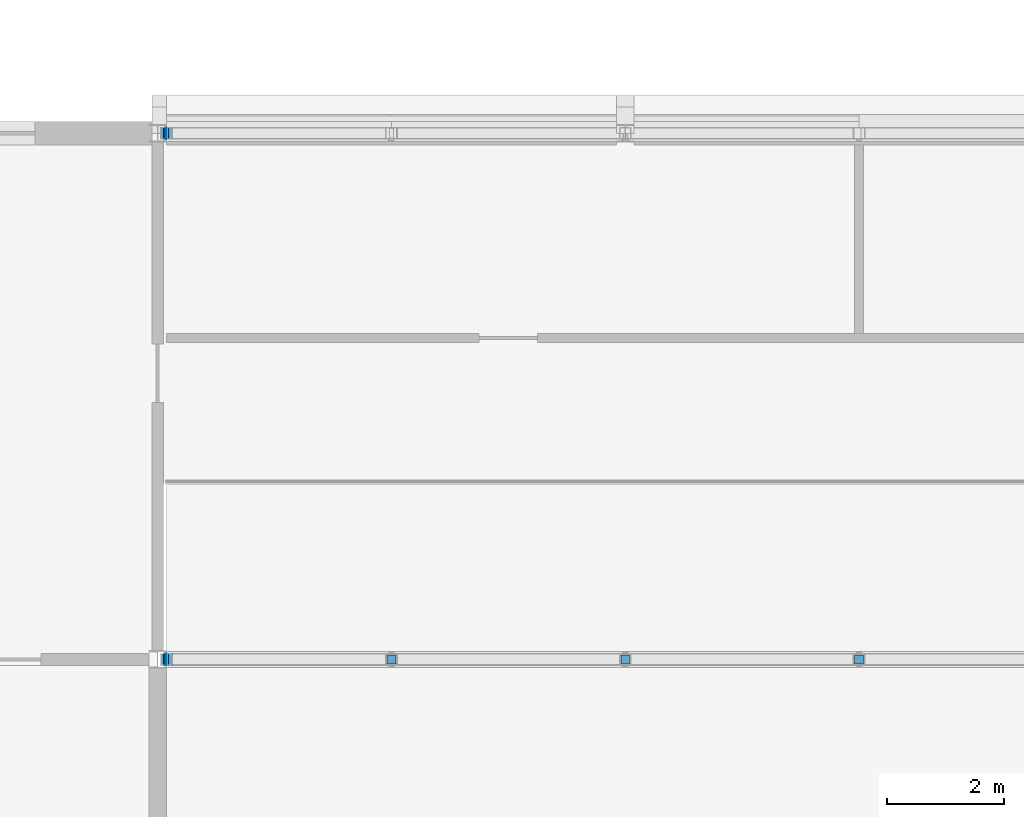
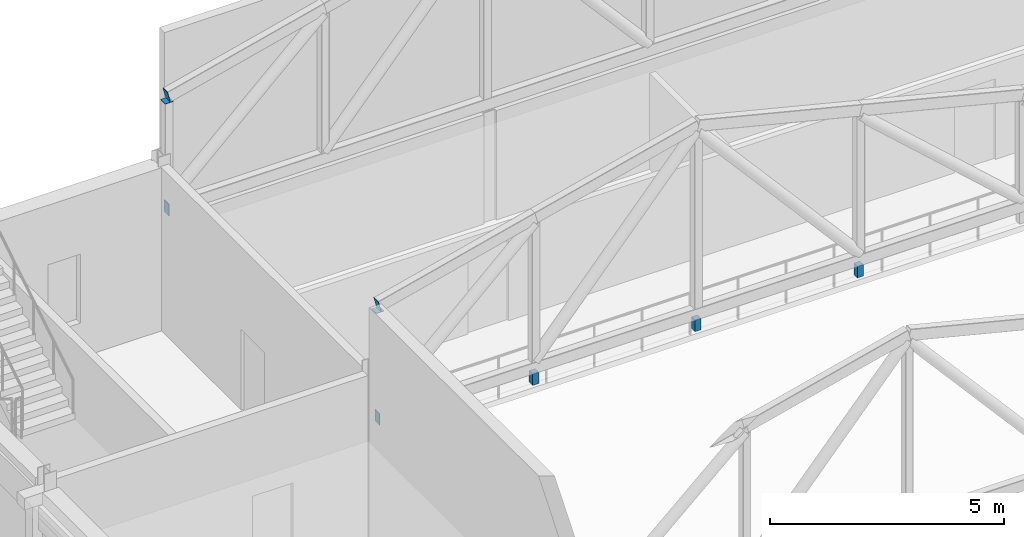
# One storey, part 125 of 149: 9 discrete accessories.
"""IFC4 building model written with IfcOpenShell, lengths in metres."""

from ifc_helpers import new_model, si_unit, direction, frame, origin, origin_2d, place, context, subcontext, project, spatial, rectangle, extrude, material, material_profile, profile_set, type_object, element, save


model = new_model("IFC4")

# Units and contexts
model_context = context("Model", 3, precision=1e-05, world=origin(), true_north=direction((0.0, 1.0)))
body_context = subcontext(model_context, "Body", "Model", "MODEL_VIEW")
ifc_project = project(units=[si_unit("LENGTHUNIT", "METRE"), si_unit("AREAUNIT", "SQUARE_METRE"), si_unit("VOLUMEUNIT", "CUBIC_METRE"), si_unit("PLANEANGLEUNIT", "RADIAN"), si_unit("MASSUNIT", "GRAM", prefix="KILO")], contexts=[model_context])

# Site, building, storey
site_placement = place(None, origin())
site = spatial("IfcSite", under=ifc_project, at=site_placement, CompositionType="ELEMENT")
building_placement = place(site_placement, origin())
building = spatial("IfcBuilding", under=site, at=building_placement, Name="Kallimachos Central Library", CompositionType="ELEMENT")
storey_placement = place(building_placement, frame((0.0, 0.0, 9.89990234375)))
storey = spatial("IfcBuildingStorey", under=building, at=storey_placement, Name="L02", CompositionType="ELEMENT", Elevation=9.89990234375)

# Discrete accessories
ifc_material_1 = material(Name="Steel S355J2", Category="steel")
ifc_material_profile_1 = material_profile(ifc_material_1, rectangle(XDim=0.199951171875, YDim=0.199951171875, at=origin_2d()), Name="End cap plate 10, 200x200")
ifc_profile_set_1 = profile_set([ifc_material_profile_1], Name="Steel S355J2")
discrete_accessory_type_1 = type_object("IfcDiscreteAccessoryType", Name="End cap plate 10, 200x200", PredefinedType="BRACKET", material=ifc_profile_set_1)
for number, where, z_axis, x_axis, name in (
    (1, (146.14990234375, 105.0, 5.78759765625), (0.0, 0.0, 1.0), (1.0, 0.0, 0.0), "End cap plate"),
    (2, (146.14990234375, 114.0, 5.78759765625), (0.0, 0.0, 1.0), (1.0, 0.0, 0.0), "End cap plate"),
):
    element("IfcDiscreteAccessory", number, at=place(storey_placement, frame(where, z_axis=z_axis, x_axis=x_axis)), inside=storey, type_object=discrete_accessory_type_1, Name=name, PredefinedType="BRACKET", context=body_context, shape_type="SweptSolid", body=[
        extrude(rectangle(XDim=0.199951171875, YDim=0.199951171875, at=origin_2d()), origin(), (0.0, 0.0, 1.0), 0.010009765625),
    ])
ifc_material_2 = material(Name="Steel S355J2", Category="steel")
ifc_material_profile_2 = material_profile(ifc_material_2, rectangle(XDim=0.199951171875, YDim=0.300048828125, at=origin_2d()), Name="End cap plate 10, 200x300")
ifc_profile_set_2 = profile_set([ifc_material_profile_2], Name="Steel S355J2")
discrete_accessory_type_2 = type_object("IfcDiscreteAccessoryType", Name="End cap plate 10, 200x300", PredefinedType="BRACKET", material=ifc_profile_set_2)
discrete_accessory_1_placement = place(storey_placement, frame((146.139892578125, 105.0, 3.0), z_axis=(1.0, 0.0, 0.0), x_axis=(0.0, 1.0, 0.0)))
element("IfcDiscreteAccessory", 3, at=discrete_accessory_1_placement, inside=storey, type_object=discrete_accessory_type_2, Name="End cap plate", PredefinedType="BRACKET", context=body_context, shape_type="SweptSolid", body=[
    extrude(rectangle(XDim=0.199951171875, YDim=0.300048828125, at=origin_2d()), origin(), (0.0, 0.0, 1.0), 0.010009765625),
])
discrete_accessory_2_placement = place(storey_placement, frame((146.140380859375, 105.0, 5.93505859375), z_axis=(0.968663866044, 0.0, 0.248375350268), x_axis=(0.0, 1.0, 0.0)))
element("IfcDiscreteAccessory", 4, at=discrete_accessory_2_placement, inside=storey, type_object=discrete_accessory_type_2, Name="End cap plate", PredefinedType="BRACKET", context=body_context, shape_type="SweptSolid", body=[
    extrude(rectangle(XDim=0.199951171875, YDim=0.300048828125, at=origin_2d()), origin(), (0.0, 0.0, 1.0), 0.009765625),
])
discrete_accessory_3_placement = place(storey_placement, frame((146.139892578125, 114.0, 3.0), z_axis=(1.0, 0.0, 0.0), x_axis=(0.0, 1.0, 0.0)))
element("IfcDiscreteAccessory", 5, at=discrete_accessory_3_placement, inside=storey, type_object=discrete_accessory_type_2, Name="End cap plate", PredefinedType="BRACKET", context=body_context, shape_type="SweptSolid", body=[
    extrude(rectangle(XDim=0.199951171875, YDim=0.300048828125, at=origin_2d()), origin(), (0.0, 0.0, 1.0), 0.010009765625),
])
discrete_accessory_4_placement = place(storey_placement, frame((146.140380859375, 114.0, 5.93505859375), z_axis=(0.968663866044, 0.0, 0.248375350268), x_axis=(0.0, 1.0, 0.0)))
element("IfcDiscreteAccessory", 6, at=discrete_accessory_4_placement, inside=storey, type_object=discrete_accessory_type_2, Name="End cap plate", PredefinedType="BRACKET", context=body_context, shape_type="SweptSolid", body=[
    extrude(rectangle(XDim=0.199951171875, YDim=0.300048828125, at=origin_2d()), origin(), (0.0, 0.0, 1.0), 0.009765625),
])
ifc_material_3 = material(Name="Steel S355J2", Category="steel")
discrete_accessory_type_3 = type_object("IfcDiscreteAccessoryType", Name="Hanger bracket", PredefinedType="BRACKET", material=ifc_material_3)
for number, where, z_axis, x_axis, name in (
    (7, (150.0, 105.0, 2.55029296875), (0.0, 0.0, 1.0), (1.0, 0.0, 0.0), "Ceiling hanger bracket"),
    (8, (154.0, 105.0, 2.55029296875), (0.0, 0.0, 1.0), (1.0, 0.0, 0.0), "Ceiling hanger bracket"),
    (9, (158.0, 105.0, 2.55029296875), (0.0, 0.0, 1.0), (1.0, 0.0, 0.0), "Ceiling hanger bracket"),
):
    element("IfcDiscreteAccessory", number, at=place(storey_placement, frame(where, z_axis=z_axis, x_axis=x_axis)), inside=storey, type_object=discrete_accessory_type_3, Name=name, PredefinedType="BRACKET", context=body_context, shape_type="SweptSolid", body=[
        extrude(rectangle(XDim=0.14990234375, YDim=0.14990234375, at=origin_2d()), origin(), (0.0, 0.0, 1.0), 0.300048828125),
    ])

save(model, "model.ifc")
